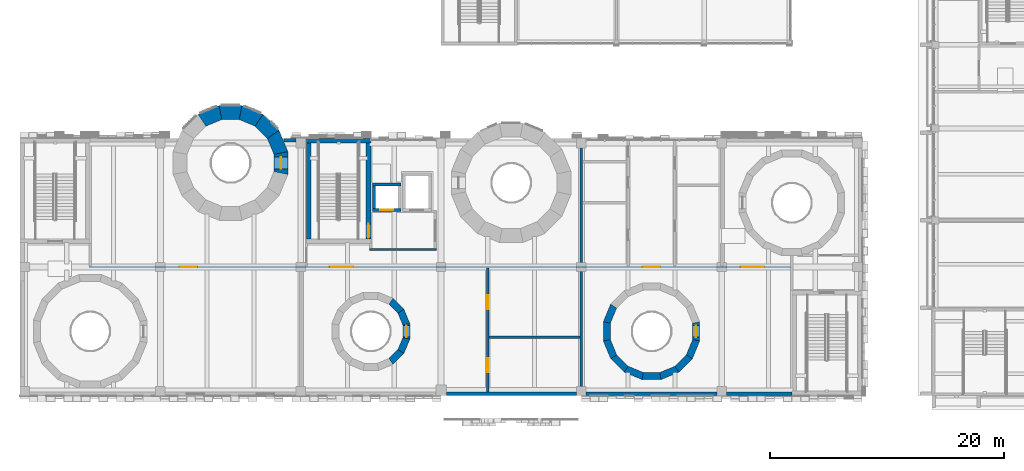
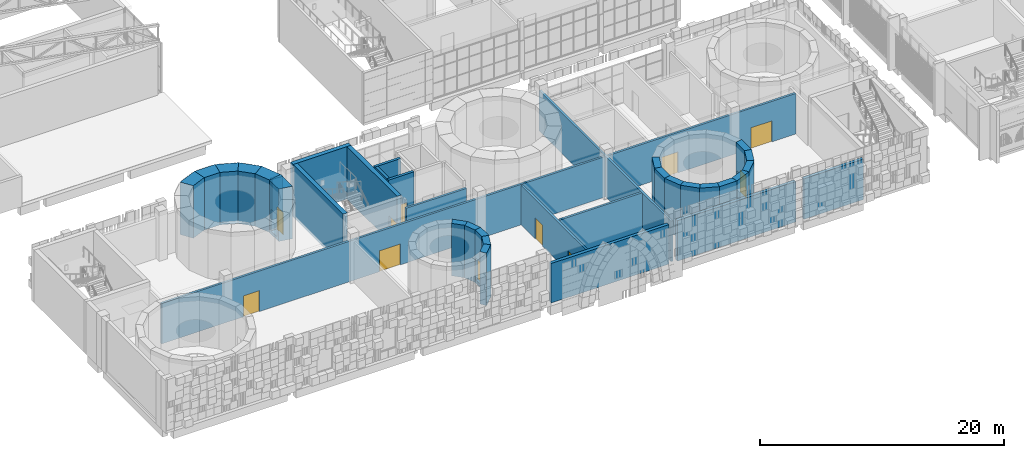
# One storey, part 65 of 125: 36 walls, 11 doors, 11 openings.
"""IFC4 building model written with IfcOpenShell, lengths in metres."""

from ifc_helpers import new_model, si_unit, direction, frame, frame_2d, origin, place, context, subcontext, project, spatial, polyline, rectangle, outline, extrude, material, layer, layer_set, type_object, element, fill, save


model = new_model("IFC4")

# Units and contexts
model_context = context("Model", 3, precision=1e-05, world=origin(), true_north=direction((0.0, 1.0)))
body_context = subcontext(model_context, "Body", "Model", "MODEL_VIEW")
ifc_project = project(units=[si_unit("LENGTHUNIT", "METRE"), si_unit("AREAUNIT", "SQUARE_METRE"), si_unit("VOLUMEUNIT", "CUBIC_METRE"), si_unit("PLANEANGLEUNIT", "RADIAN"), si_unit("MASSUNIT", "GRAM", prefix="KILO")], contexts=[model_context])

# Site, building, storey
site_placement = place(None, origin())
site = spatial("IfcSite", under=ifc_project, at=site_placement, CompositionType="ELEMENT")
building_placement = place(site_placement, origin())
building = spatial("IfcBuilding", under=site, at=building_placement, Name="Sun Court Science Centre", CompositionType="ELEMENT")
storey_placement = place(building_placement, frame((0.0, 0.0, 6.0)))
storey = spatial("IfcBuildingStorey", under=building, at=storey_placement, Name="L01", CompositionType="ELEMENT", Elevation=6.0)

# Walls
ifc_material_1 = material(Name="Clay masonry", Category="masonry")
ifc_layer_1 = layer(ifc_material_1, 0.300048828125)
ifc_layer_set_1 = layer_set([ifc_layer_1], Name="Clay masonry")
wall_type_1 = type_object("IfcWallType", Name="Clay masonry infill wall 300", PredefinedType="SOLIDWALL", material=ifc_layer_set_1)
wall_1_placement = place(storey_placement, frame((66.0, 6.14990234375, 0.0), z_axis=(0.0, 0.0, 1.0), x_axis=(-1.0, 0.0, 0.0)))
element("IfcWall", 1, at=wall_1_placement, inside=storey, type_object=wall_type_1, Name="External infill wall L01 south face 01", PredefinedType="SOLIDWALL", context=body_context, shape_type="SweptSolid", body=[
    extrude(rectangle(XDim=5.60009765625, YDim=0.300048828125, at=frame_2d((2.800048828125, 0.0))), origin(), (0.0, 0.0, 1.0), 4.050048828125),
])
wall_2_placement = place(storey_placement, frame((59.60009765625, 6.14990234375, 0.0), z_axis=(0.0, 0.0, 1.0), x_axis=(-1.0, 0.0, 0.0)))
element("IfcWall", 2, at=wall_2_placement, inside=storey, type_object=wall_type_1, Name="External infill wall L01 south face 02", PredefinedType="SOLIDWALL", context=body_context, shape_type="SweptSolid", body=[
    extrude(rectangle(XDim=11.2001953125, YDim=0.300048828125, at=frame_2d((5.60009765625, 0.0))), origin(), (0.0, 0.0, 1.0), 4.050048828125),
])
wall_3_placement = place(storey_placement, frame((47.60009765625, 6.14990234375, 0.0), z_axis=(0.0, 0.0, 1.0), x_axis=(-1.0, 0.0, 0.0)))
element("IfcWall", 3, at=wall_3_placement, inside=storey, type_object=wall_type_1, Name="External infill wall L01 south face 03", PredefinedType="SOLIDWALL", context=body_context, shape_type="SweptSolid", body=[
    extrude(rectangle(XDim=11.150146484375, YDim=0.300048828125, at=frame_2d((5.5751953125, 0.0))), origin(), (0.0, 0.0, 1.0), 3.949951171875),
])
wall_4_placement = place(storey_placement, frame((22.5625, 27.85009765625, 0.0), z_axis=(0.0, 0.0, 1.0), x_axis=(1.0, 0.0, 0.0)))
element("IfcWall", 4, at=wall_4_placement, inside=storey, type_object=wall_type_1, Name="External infill wall L01 north face 03", PredefinedType="SOLIDWALL", context=body_context, shape_type="SweptSolid", body=[
    extrude(rectangle(XDim=1.03759765625, YDim=0.300048828125, at=frame_2d((0.518798828125, 0.0))), origin(), (0.0, 0.0, 1.0), 4.050048828125),
])
ifc_material_2 = material(Name="Gypsum board")
ifc_layer_2 = layer(ifc_material_2, 0.199951171875)
ifc_layer_set_2 = layer_set([ifc_layer_2], Name="Gypsum board")
wall_type_2 = type_object("IfcWallType", Name="Partition 200 acoustic double stud", PredefinedType="PARTITIONING", material=ifc_layer_set_2)
wall_5_placement = place(storey_placement, frame((40.10009765625, 11.0, 0.0), z_axis=(0.0, 0.0, 1.0), x_axis=(1.0, 0.0, 0.0)))
element("IfcWall", 5, at=wall_5_placement, inside=storey, type_object=wall_type_2, Name="L01 partition 001", PredefinedType="PARTITIONING", context=body_context, shape_type="SweptSolid", body=[
    extrude(rectangle(XDim=7.7998046875, YDim=0.199951171875, at=frame_2d((3.89990234375, 0.0))), origin(), (0.0, 0.0, 1.0), 4.050048828125),
])
wall_6_placement = place(storey_placement, frame((48.0, 6.199951171875, 0.0), z_axis=(0.0, 0.0, 1.0), x_axis=(0.0, 1.0, 0.0)))
element("IfcWall", 6, at=wall_6_placement, inside=storey, type_object=wall_type_2, Name="L01 partition 014", PredefinedType="PARTITIONING", context=body_context, shape_type="SweptSolid", body=[
    extrude(rectangle(XDim=21.60009765625, YDim=0.199951171875, at=frame_2d((10.800048828125, 0.0))), origin(), (0.0, 0.0, 1.0), 4.050048828125),
])

# Wall, openings, doors
wall_7_placement = place(storey_placement, frame((40.0, 16.89990234375, 0.0), z_axis=(0.0, 0.0, 1.0), x_axis=(0.0, -1.0, 0.0)))
wall_7 = element("IfcWall", 7, at=wall_7_placement, inside=storey, type_object=wall_type_2, Name="L01 partition 015", PredefinedType="PARTITIONING", context=body_context, shape_type="SweptSolid", body=[
    extrude(rectangle(XDim=10.597900390625, YDim=0.199951171875, at=frame_2d((5.298828125, 0.0))), origin(), (0.0, 0.0, 1.0), 3.949951171875),
])
opening_1_placement = place(wall_7_placement, frame((7.699951171875, 0.0, 0.0)))
opening_1 = element("IfcOpeningElement", 8, at=opening_1_placement, cuts=wall_7, Name="Opening D-L01-015", PredefinedType="OPENING", context=body_context, shape_type="SweptSolid", body=[
    extrude(rectangle(XDim=1.199951171875, YDim=2.10009765625, at=frame_2d((0.60009765625, 1.050048828125))), frame((0.0, 0.10986328125, 0.0), z_axis=(0.0, -1.0, 0.0), x_axis=(1.0, 0.0, 0.0)), (0.0, 0.0, 1.0), 0.219970703125),
])
opening_2_placement = place(wall_7_placement, frame((2.300048828125, 0.0, 0.0)))
opening_2 = element("IfcOpeningElement", 9, at=opening_2_placement, cuts=wall_7, Name="Opening D-L01-016", PredefinedType="OPENING", context=body_context, shape_type="SweptSolid", body=[
    extrude(rectangle(XDim=1.199951171875, YDim=2.10009765625, at=frame_2d((0.60009765625, 1.050048828125))), frame((0.0, 0.10986328125, 0.0), z_axis=(0.0, -1.0, 0.0), x_axis=(1.0, 0.0, 0.0)), (0.0, 0.0, 1.0), 0.219970703125),
])
ifc_material_3 = material(Name="Timber", Category="wood")
door_type_1 = type_object("IfcDoorType", Name="Door 1200x2100 single leaf", OperationType="NOTDEFINED", PredefinedType="DOOR", material=ifc_material_3)
door_1_placement = place(opening_1_placement, origin())
door_1 = element("IfcDoor", 10, at=door_1_placement, inside=storey, type_object=door_type_1, Name="Door D-L01-015", OperationType="SINGLE_SWING_LEFT", OverallHeight=2.10009765625, OverallWidth=1.199951171875, PredefinedType="DOOR", context=body_context, shape_type="SweptSolid", body=[
    extrude(rectangle(XDim=1.199951171875, YDim=2.10009765625, at=frame_2d((0.60009765625, 1.050048828125))), frame((0.0, 0.02490234375, 0.0), z_axis=(0.0, -1.0, 0.0), x_axis=(1.0, 0.0, 0.0)), (0.0, 0.0, 1.0), 0.050048828125),
])
fill(opening_1, door_1)
door_2_placement = place(opening_2_placement, origin())
door_2 = element("IfcDoor", 11, at=door_2_placement, inside=storey, type_object=door_type_1, Name="Door D-L01-016", OperationType="SINGLE_SWING_RIGHT", OverallHeight=2.10009765625, OverallWidth=1.199951171875, PredefinedType="DOOR", context=body_context, shape_type="SweptSolid", body=[
    extrude(rectangle(XDim=1.199951171875, YDim=2.10009765625, at=frame_2d((0.60009765625, 1.050048828125))), frame((0.0, 0.02490234375, 0.0), z_axis=(0.0, -1.0, 0.0), x_axis=(1.0, 0.0, 0.0)), (0.0, 0.0, 1.0), 0.050048828125),
])
fill(opening_2, door_2)

ifc_material_4 = material(Name="Concrete block", Category="concrete")
ifc_layer_3 = layer(ifc_material_4, 0.199951171875)
ifc_layer_set_3 = layer_set([ifc_layer_3], Name="Concrete block")
wall_type_3 = type_object("IfcWallType", Name="Partition 200 block EI60", PredefinedType="PARTITIONING", material=ifc_layer_set_3)
wall_8_placement = place(storey_placement, frame((65.89990234375, 17.0, 0.0), z_axis=(0.0, 0.0, 1.0), x_axis=(-1.0, 0.0, 0.0)))
wall_8 = element("IfcWall", 12, at=wall_8_placement, inside=storey, type_object=wall_type_3, Name="L01 partition 002", PredefinedType="PARTITIONING", context=body_context, shape_type="SweptSolid", body=[
    extrude(rectangle(XDim=60.0, YDim=0.199951171875, at=frame_2d((30.0, 0.0))), origin(), (0.0, 0.0, 1.0), 4.050048828125),
])
opening_3_placement = place(wall_8_placement, frame((50.75, 0.0, 0.0)))
opening_3 = element("IfcOpeningElement", 13, at=opening_3_placement, cuts=wall_8, Name="Opening D-L01-012", PredefinedType="OPENING", context=body_context, shape_type="SweptSolid", body=[
    extrude(rectangle(XDim=1.5, YDim=2.10009765625, at=frame_2d((0.75, 1.050048828125))), frame((0.0, 0.10986328125, 0.0), z_axis=(0.0, -1.0, 0.0), x_axis=(1.0, 0.0, 0.0)), (0.0, 0.0, 1.0), 0.219970703125),
])
opening_4_placement = place(wall_8_placement, frame((37.40087890625, 0.0, 0.0)))
opening_4 = element("IfcOpeningElement", 14, at=opening_4_placement, cuts=wall_8, Name="Opening D-L01-013", PredefinedType="OPENING", context=body_context, shape_type="SweptSolid", body=[
    extrude(rectangle(XDim=2.0, YDim=2.10009765625, at=frame_2d((1.0, 1.050048828125))), frame((0.0, 0.10986328125, 0.0), z_axis=(0.0, -1.0, 0.0), x_axis=(1.0, 0.0, 0.0)), (0.0, 0.0, 1.0), 0.219970703125),
])
opening_5_placement = place(wall_8_placement, frame((11.14990234375, 0.0, 0.0)))
opening_5 = element("IfcOpeningElement", 15, at=opening_5_placement, cuts=wall_8, Name="Opening D-L01-017", PredefinedType="OPENING", context=body_context, shape_type="SweptSolid", body=[
    extrude(rectangle(XDim=1.5, YDim=2.10009765625, at=frame_2d((0.75, 1.050048828125))), frame((0.0, 0.10986328125, 0.0), z_axis=(0.0, -1.0, 0.0), x_axis=(1.0, 0.0, 0.0)), (0.0, 0.0, 1.0), 0.219970703125),
])
opening_6_placement = place(wall_8_placement, frame((2.2509765625, 0.0, 0.0)))
opening_6 = element("IfcOpeningElement", 16, at=opening_6_placement, cuts=wall_8, Name="Opening D-L01-018", PredefinedType="OPENING", context=body_context, shape_type="SweptSolid", body=[
    extrude(rectangle(XDim=2.0, YDim=2.10009765625, at=frame_2d((1.0, 1.050048828125))), frame((0.0, 0.10986328125, 0.0), z_axis=(0.0, -1.0, 0.0), x_axis=(1.0, 0.0, 0.0)), (0.0, 0.0, 1.0), 0.219970703125),
])
ifc_material_5 = material(Name="Timber", Category="wood")
door_type_2 = type_object("IfcDoorType", Name="Door 1500x2100 double leaf", OperationType="DOUBLE_DOOR_SINGLE_SWING", PredefinedType="DOOR", material=ifc_material_5)
door_3_placement = place(opening_3_placement, origin())
door_3 = element("IfcDoor", 17, at=door_3_placement, inside=storey, type_object=door_type_2, Name="Door D-L01-012", OperationType="DOUBLE_DOOR_SINGLE_SWING", OverallHeight=2.10009765625, OverallWidth=1.5, PredefinedType="DOOR", context=body_context, shape_type="SweptSolid", body=[
    extrude(rectangle(XDim=1.5, YDim=2.10009765625, at=frame_2d((0.75, 1.050048828125))), frame((0.0, 0.02490234375, 0.0), z_axis=(0.0, -1.0, 0.0), x_axis=(1.0, 0.0, 0.0)), (0.0, 0.0, 1.0), 0.050048828125),
])
fill(opening_3, door_3)
door_4_placement = place(opening_5_placement, origin())
door_4 = element("IfcDoor", 18, at=door_4_placement, inside=storey, type_object=door_type_2, Name="Door D-L01-017", OperationType="DOUBLE_DOOR_SINGLE_SWING", OverallHeight=2.10009765625, OverallWidth=1.5, PredefinedType="DOOR", context=body_context, shape_type="SweptSolid", body=[
    extrude(rectangle(XDim=1.5, YDim=2.10009765625, at=frame_2d((0.75, 1.050048828125))), frame((0.0, 0.02490234375, 0.0), z_axis=(0.0, -1.0, 0.0), x_axis=(1.0, 0.0, 0.0)), (0.0, 0.0, 1.0), 0.050048828125),
])
fill(opening_5, door_4)
ifc_material_6 = material(Name="Timber", Category="wood")
door_type_3 = type_object("IfcDoorType", Name="Door 2000x2100 double leaf", OperationType="DOUBLE_DOOR_SINGLE_SWING", PredefinedType="DOOR", material=ifc_material_6)
door_5_placement = place(opening_4_placement, origin())
door_5 = element("IfcDoor", 19, at=door_5_placement, inside=storey, type_object=door_type_3, Name="Door D-L01-013", OperationType="DOUBLE_DOOR_SINGLE_SWING", OverallHeight=2.10009765625, OverallWidth=2.0, PredefinedType="DOOR", context=body_context, shape_type="SweptSolid", body=[
    extrude(rectangle(XDim=2.0, YDim=2.10009765625, at=frame_2d((1.0, 1.050048828125))), frame((0.0, 0.02490234375, 0.0), z_axis=(0.0, -1.0, 0.0), x_axis=(1.0, 0.0, 0.0)), (0.0, 0.0, 1.0), 0.050048828125),
])
fill(opening_4, door_5)
door_6_placement = place(opening_6_placement, origin())
door_6 = element("IfcDoor", 20, at=door_6_placement, inside=storey, type_object=door_type_3, Name="Door D-L01-018", OperationType="DOUBLE_DOOR_SINGLE_SWING", OverallHeight=2.10009765625, OverallWidth=2.0, PredefinedType="DOOR", context=body_context, shape_type="SweptSolid", body=[
    extrude(rectangle(XDim=2.0, YDim=2.10009765625, at=frame_2d((1.0, 1.050048828125))), frame((0.0, 0.02490234375, 0.0), z_axis=(0.0, -1.0, 0.0), x_axis=(1.0, 0.0, 0.0)), (0.0, 0.0, 1.0), 0.050048828125),
])
fill(opening_6, door_6)

# Walls
wall_9_placement = place(storey_placement, frame((29.89990234375, 18.5, 0.0), z_axis=(0.0, 0.0, 1.0), x_axis=(1.0, 0.0, 0.0)))
element("IfcWall", 21, at=wall_9_placement, inside=storey, type_object=wall_type_3, Name="L01 partition 004", PredefinedType="PARTITIONING", context=body_context, shape_type="SweptSolid", body=[
    extrude(rectangle(XDim=5.7001953125, YDim=0.199951171875, at=frame_2d((2.85009765625, 0.0))), origin(), (0.0, 0.0, 1.0), 4.25),
])
ifc_material_7 = material(Name="Concrete C30/37", Category="concrete")
ifc_layer_4 = layer(ifc_material_7, 1.18798828125)
ifc_layer_set_4 = layer_set([ifc_layer_4], Name="Concrete C30/37")
wall_type_4 = type_object("IfcWallType", Name="RC cone ring wall 1188", PredefinedType="SHEAR", material=ifc_layer_set_4)
wall_10_placement = place(storey_placement, frame((22.35498046875, 26.64794921875, -0.300048828125), z_axis=(0.0, 0.0, 1.0), x_axis=(-0.382668614316, 0.923885670209, 0.0)))
element("IfcWall", 22, at=wall_10_placement, inside=storey, type_object=wall_type_4, Name="Cone 2 ring wall L01 segment 1", PredefinedType="SHEAR", context=body_context, shape_type="SweptSolid", body=[
    extrude(outline(polyline([(0.000244140625, -0.59423828125), (1.951171875, -0.59423828125), (1.714599609375, 0.59423828125), (0.236328125, 0.59423828125), (0.000244140625, -0.59423828125)])), origin(), (0.0, 0.0, 1.0), 5.25),
])
wall_11_placement = place(storey_placement, frame((21.737060546875, 28.257568359375, -0.300048828125), z_axis=(0.0, 0.0, 1.0), x_axis=(-0.707044208134, 0.707169348702, 0.0)))
element("IfcWall", 23, at=wall_11_placement, inside=storey, type_object=wall_type_4, Name="Cone 2 ring wall L01 segment 2", PredefinedType="SHEAR", context=body_context, shape_type="SweptSolid", body=[
    extrude(outline(polyline([(0.000244140625, -0.594482421875), (1.950927734375, -0.59423828125), (1.714599609375, 0.59423828125), (0.236328125, 0.593994140625), (0.000244140625, -0.594482421875)])), origin(), (0.0, 0.0, 1.0), 5.25),
])
wall_12_placement = place(storey_placement, frame((20.550537109375, 29.50830078125, -0.300048828125), z_axis=(0.0, 0.0, 1.0), x_axis=(-0.923885670209, 0.382668614316, 0.0)))
element("IfcWall", 24, at=wall_12_placement, inside=storey, type_object=wall_type_4, Name="Cone 2 ring wall L01 segment 3", PredefinedType="SHEAR", context=body_context, shape_type="SweptSolid", body=[
    extrude(outline(polyline([(0.0, -0.59423828125), (1.950927734375, -0.59423828125), (1.714599609375, 0.59423828125), (0.236572265625, 0.59423828125), (0.0, -0.59423828125)])), origin(), (0.0, 0.0, 1.0), 5.25),
])
wall_13_placement = place(storey_placement, frame((18.975341796875, 30.209716796875, -0.300048828125), z_axis=(0.0, 0.0, 1.0), x_axis=(-1.0, 0.0, 0.0)))
element("IfcWall", 25, at=wall_13_placement, inside=storey, type_object=wall_type_4, Name="Cone 2 ring wall L01 segment 4", PredefinedType="SHEAR", context=body_context, shape_type="SweptSolid", body=[
    extrude(outline(polyline([(-0.000244140625, -0.59423828125), (1.950927734375, -0.59423828125), (1.71435546875, 0.59423828125), (0.236328125, 0.59423828125), (-0.000244140625, -0.59423828125)])), origin(), (0.0, 0.0, 1.0), 5.25),
])
wall_14_placement = place(storey_placement, frame((17.251953125, 30.2548828125, -0.300048828125), z_axis=(0.0, 0.0, 1.0), x_axis=(-0.923885670209, -0.382668614316, 0.0)))
element("IfcWall", 26, at=wall_14_placement, inside=storey, type_object=wall_type_4, Name="Cone 2 ring wall L01 segment 5", PredefinedType="SHEAR", context=body_context, shape_type="SweptSolid", body=[
    extrude(outline(polyline([(0.0, -0.59423828125), (1.950927734375, -0.59423828125), (1.71435546875, 0.59423828125), (0.236328125, 0.59423828125), (0.0, -0.59423828125)])), origin(), (0.0, 0.0, 1.0), 5.25),
])

# Wall, opening, door
wall_15_placement = place(storey_placement, frame((22.3095703125, 24.924560546875, -0.300048828125), z_axis=(0.0, 0.0, 1.0), x_axis=(0.0, 1.0, 0.0)))
wall_15 = element("IfcWall", 27, at=wall_15_placement, inside=storey, type_object=wall_type_4, Name="Cone 2 ring wall L01 segment 16", PredefinedType="SHEAR", context=body_context, shape_type="SweptSolid", body=[
    extrude(outline(polyline([(0.0, -0.59423828125), (1.950927734375, -0.59423828125), (1.71435546875, 0.593994140625), (0.236328125, 0.593994140625), (0.0, -0.59423828125)])), origin(), (0.0, 0.0, 1.0), 5.25),
])
opening_7_placement = place(wall_15_placement, frame((0.475341796875, 0.0, 0.300048828125)))
opening_7 = element("IfcOpeningElement", 28, at=opening_7_placement, cuts=wall_15, Name="Opening D-L01-021", PredefinedType="OPENING", context=body_context, shape_type="SweptSolid", body=[
    extrude(rectangle(XDim=1.0, YDim=2.199951171875, at=frame_2d((0.5, 1.10009765625))), frame((0.0, 0.604248046875, 0.0), z_axis=(0.0, -1.0, 0.0), x_axis=(1.0, 0.0, 0.0)), (0.0, 0.0, 1.0), 1.20849609375),
])
ifc_material_8 = material(Name="Timber", Category="wood")
door_type_4 = type_object("IfcDoorType", Name="Door 1000x2200 single leaf", OperationType="NOTDEFINED", PredefinedType="DOOR", material=ifc_material_8)
door_7_placement = place(opening_7_placement, origin())
door_7 = element("IfcDoor", 29, at=door_7_placement, inside=storey, type_object=door_type_4, Name="Door D-L01-021", OperationType="SINGLE_SWING_RIGHT", OverallHeight=2.199951171875, OverallWidth=1.0, PredefinedType="DOOR", context=body_context, shape_type="SweptSolid", body=[
    extrude(rectangle(XDim=1.0, YDim=2.199951171875, at=frame_2d((0.5, 1.10009765625))), frame((0.0, 0.02490234375, 0.0), z_axis=(0.0, -1.0, 0.0), x_axis=(1.0, 0.0, 0.0)), (0.0, 0.0, 1.0), 0.050048828125),
])
fill(opening_7, door_7)

# Walls
ifc_material_9 = material(Name="Concrete C30/37", Category="concrete")
ifc_layer_5 = layer(ifc_material_9, 0.60009765625)
ifc_layer_set_5 = layer_set([ifc_layer_5], Name="Concrete C30/37")
wall_type_5 = type_object("IfcWallType", Name="RC cone ring wall 600", PredefinedType="SHEAR", material=ifc_layer_set_5)
wall_16_placement = place(storey_placement, frame((33.0576171875, 12.048583984375, -0.300048828125), z_axis=(0.0, 0.0, 1.0), x_axis=(-0.382785205205, 0.923837370253, 0.0)))
element("IfcWall", 30, at=wall_16_placement, inside=storey, type_object=wall_type_5, Name="Cone 3 ring wall L01 segment 1", PredefinedType="SHEAR", context=body_context, shape_type="SweptSolid", body=[
    extrude(outline(polyline([(0.0, -0.2998046875), (1.32666015625, -0.2998046875), (1.207275390625, 0.300048828125), (0.119384765625, 0.30029296875), (0.0, -0.2998046875)])), origin(), (0.0, 0.0, 1.0), 5.25),
])
for number, where, z_axis, x_axis, name in (
    (31, (32.61474609375, 13.1767578125, -0.300048828125), (0.0, 0.0, 1.0), (-0.707106781187, 0.707106781187, 0.0), "Cone 3 ring wall L01 segment 2"),
    (32, (31.6767578125, 8.88525390625, -0.300048828125), (0.0, 0.0, 1.0), (0.707106781187, 0.707106781187, 0.0), "Cone 3 ring wall L01 segment 14"),
):
    element("IfcWall", number, at=place(storey_placement, frame(where, z_axis=z_axis, x_axis=x_axis)), inside=storey, type_object=wall_type_5, Name=name, PredefinedType="SHEAR", context=body_context, shape_type="SweptSolid", body=[
        extrude(outline(polyline([(0.0, -0.300048828125), (1.326416015625, -0.300048828125), (1.207275390625, 0.2998046875), (0.119384765625, 0.2998046875), (0.0, -0.300048828125)])), origin(), (0.0, 0.0, 1.0), 5.25),
    ])
wall_17_placement = place(storey_placement, frame((32.5498046875, 9.725830078125, -0.300048828125), z_axis=(0.0, 0.0, 1.0), x_axis=(0.382785205205, 0.923837370253, 0.0)))
element("IfcWall", 33, at=wall_17_placement, inside=storey, type_object=wall_type_5, Name="Cone 3 ring wall L01 segment 15", PredefinedType="SHEAR", context=body_context, shape_type="SweptSolid", body=[
    extrude(outline(polyline([(0.0, -0.2998046875), (1.32666015625, -0.2998046875), (1.207275390625, 0.30029296875), (0.119384765625, 0.300048828125), (0.0, -0.2998046875)])), origin(), (0.0, 0.0, 1.0), 5.25),
])

# Wall, opening, door
wall_18_placement = place(storey_placement, frame((33.03466796875, 10.836669921875, -0.300048828125), z_axis=(0.0, 0.0, 1.0), x_axis=(0.0, 1.0, 0.0)))
wall_18 = element("IfcWall", 34, at=wall_18_placement, inside=storey, type_object=wall_type_5, Name="Cone 3 ring wall L01 segment 16", PredefinedType="SHEAR", context=body_context, shape_type="SweptSolid", body=[
    extrude(outline(polyline([(0.0, -0.300048828125), (1.32666015625, -0.300048828125), (1.207275390625, 0.300048828125), (0.119384765625, 0.300048828125), (0.0, -0.300048828125)])), origin(), (0.0, 0.0, 1.0), 5.25),
])
opening_8_placement = place(wall_18_placement, frame((0.163330078125, 0.0, 0.300048828125)))
opening_8 = element("IfcOpeningElement", 35, at=opening_8_placement, cuts=wall_18, Name="Opening D-L01-022", PredefinedType="OPENING", context=body_context, shape_type="SweptSolid", body=[
    extrude(rectangle(XDim=1.0, YDim=2.199951171875, at=frame_2d((0.5, 1.10009765625))), frame((0.0, 0.31005859375, 0.0), z_axis=(0.0, -1.0, 0.0), x_axis=(1.0, 0.0, 0.0)), (0.0, 0.0, 1.0), 0.6201171875),
])
door_8_placement = place(opening_8_placement, origin())
door_8 = element("IfcDoor", 36, at=door_8_placement, inside=storey, type_object=door_type_4, Name="Door D-L01-022", OperationType="SINGLE_SWING_LEFT", OverallHeight=2.199951171875, OverallWidth=1.0, PredefinedType="DOOR", context=body_context, shape_type="SweptSolid", body=[
    extrude(rectangle(XDim=1.0, YDim=2.199951171875, at=frame_2d((0.5, 1.10009765625))), frame((0.0, 0.02490234375, 0.0), z_axis=(0.0, -1.0, 0.0), x_axis=(1.0, 0.0, 0.0)), (0.0, 0.0, 1.0), 0.050048828125),
])
fill(opening_8, door_8)

# Walls
wall_19_placement = place(storey_placement, frame((50.784912109375, 13.718505859375, -0.300048828125), z_axis=(0.0, 0.0, 1.0), x_axis=(-0.382614973625, -0.923907886078, 0.0)))
element("IfcWall", 37, at=wall_19_placement, inside=storey, type_object=wall_type_5, Name="Cone 5 ring wall L01 segment 7", PredefinedType="SHEAR", context=body_context, shape_type="SweptSolid", body=[
    extrude(outline(polyline([(-0.000244140625, -0.300048828125), (1.638671875, -0.300048828125), (1.519287109375, 0.300048828125), (0.119384765625, 0.30029296875), (-0.000244140625, -0.300048828125)])), origin(), (0.0, 0.0, 1.0), 5.25),
])
wall_20_placement = place(storey_placement, frame((50.1806640625, 12.3193359375, -0.300048828125), z_axis=(0.0, 0.0, 1.0), x_axis=(0.0, -1.0, 0.0)))
element("IfcWall", 38, at=wall_20_placement, inside=storey, type_object=wall_type_5, Name="Cone 5 ring wall L01 segment 8", PredefinedType="SHEAR", context=body_context, shape_type="SweptSolid", body=[
    extrude(outline(polyline([(0.0, -0.300048828125), (1.638671875, -0.300048828125), (1.519287109375, 0.300048828125), (0.119384765625, 0.300048828125), (0.0, -0.300048828125)])), origin(), (0.0, 0.0, 1.0), 5.25),
])
wall_21_placement = place(storey_placement, frame((50.157958984375, 10.79541015625, -0.300048828125), z_axis=(0.0, 0.0, 1.0), x_axis=(0.382614973625, -0.923907886078, 0.0)))
element("IfcWall", 39, at=wall_21_placement, inside=storey, type_object=wall_type_5, Name="Cone 5 ring wall L01 segment 9", PredefinedType="SHEAR", context=body_context, shape_type="SweptSolid", body=[
    extrude(outline(polyline([(0.0, -0.300048828125), (1.638916015625, -0.300048828125), (1.519287109375, 0.30029296875), (0.119140625, 0.300048828125), (0.0, -0.300048828125)])), origin(), (0.0, 0.0, 1.0), 5.25),
])
wall_22_placement = place(storey_placement, frame((50.719970703125, 9.378662109375, -0.300048828125), z_axis=(0.0, 0.0, 1.0), x_axis=(0.707106781187, -0.707106781187, 0.0)))
element("IfcWall", 40, at=wall_22_placement, inside=storey, type_object=wall_type_5, Name="Cone 5 ring wall L01 segment 10", PredefinedType="SHEAR", context=body_context, shape_type="SweptSolid", body=[
    extrude(outline(polyline([(0.0, -0.300048828125), (1.638671875, -0.300048828125), (1.519287109375, 0.30029296875), (0.119384765625, 0.30029296875), (0.0, -0.300048828125)])), origin(), (0.0, 0.0, 1.0), 5.25),
])
wall_23_placement = place(storey_placement, frame((51.781494140625, 8.284912109375, -0.300048828125), z_axis=(0.0, 0.0, 1.0), x_axis=(0.923907886078, -0.382614973625, 0.0)))
element("IfcWall", 41, at=wall_23_placement, inside=storey, type_object=wall_type_5, Name="Cone 5 ring wall L01 segment 11", PredefinedType="SHEAR", context=body_context, shape_type="SweptSolid", body=[
    extrude(outline(polyline([(-0.000244140625, -0.300048828125), (1.638671875, -0.300048828125), (1.519287109375, 0.300048828125), (0.119384765625, 0.30029296875), (-0.000244140625, -0.300048828125)])), origin(), (0.0, 0.0, 1.0), 5.25),
])
wall_24_placement = place(storey_placement, frame((53.1806640625, 7.6806640625, -0.300048828125), z_axis=(0.0, 0.0, 1.0), x_axis=(1.0, 0.0, 0.0)))
element("IfcWall", 42, at=wall_24_placement, inside=storey, type_object=wall_type_5, Name="Cone 5 ring wall L01 segment 12", PredefinedType="SHEAR", context=body_context, shape_type="SweptSolid", body=[
    extrude(outline(polyline([(0.0, -0.300048828125), (1.638671875, -0.300048828125), (1.519287109375, 0.300048828125), (0.119384765625, 0.300048828125), (0.0, -0.300048828125)])), origin(), (0.0, 0.0, 1.0), 5.25),
])
wall_25_placement = place(storey_placement, frame((54.70458984375, 7.657958984375, -0.300048828125), z_axis=(0.0, 0.0, 1.0), x_axis=(0.923907886078, 0.382614973625, 0.0)))
element("IfcWall", 43, at=wall_25_placement, inside=storey, type_object=wall_type_5, Name="Cone 5 ring wall L01 segment 13", PredefinedType="SHEAR", context=body_context, shape_type="SweptSolid", body=[
    extrude(outline(polyline([(0.0, -0.300048828125), (1.638916015625, -0.300048828125), (1.519287109375, 0.30029296875), (0.119140625, 0.300048828125), (0.0, -0.300048828125)])), origin(), (0.0, 0.0, 1.0), 5.25),
])
wall_26_placement = place(storey_placement, frame((56.121337890625, 8.219970703125, -0.300048828125), z_axis=(0.0, 0.0, 1.0), x_axis=(0.707106781187, 0.707106781187, 0.0)))
element("IfcWall", 44, at=wall_26_placement, inside=storey, type_object=wall_type_5, Name="Cone 5 ring wall L01 segment 14", PredefinedType="SHEAR", context=body_context, shape_type="SweptSolid", body=[
    extrude(outline(polyline([(0.0, -0.300048828125), (1.638671875, -0.300048828125), (1.519287109375, 0.30029296875), (0.119384765625, 0.30029296875), (0.0, -0.300048828125)])), origin(), (0.0, 0.0, 1.0), 5.25),
])
wall_27_placement = place(storey_placement, frame((57.215087890625, 9.281494140625, -0.300048828125), z_axis=(0.0, 0.0, 1.0), x_axis=(0.382614973625, 0.923907886078, 0.0)))
element("IfcWall", 45, at=wall_27_placement, inside=storey, type_object=wall_type_5, Name="Cone 5 ring wall L01 segment 15", PredefinedType="SHEAR", context=body_context, shape_type="SweptSolid", body=[
    extrude(outline(polyline([(-0.000244140625, -0.300048828125), (1.638671875, -0.300048828125), (1.519287109375, 0.300048828125), (0.119384765625, 0.30029296875), (-0.000244140625, -0.300048828125)])), origin(), (0.0, 0.0, 1.0), 5.25),
])

# Wall, opening, door
wall_28_placement = place(storey_placement, frame((57.8193359375, 10.6806640625, -0.300048828125), z_axis=(0.0, 0.0, 1.0), x_axis=(0.0, 1.0, 0.0)))
wall_28 = element("IfcWall", 46, at=wall_28_placement, inside=storey, type_object=wall_type_5, Name="Cone 5 ring wall L01 segment 16", PredefinedType="SHEAR", context=body_context, shape_type="SweptSolid", body=[
    extrude(outline(polyline([(0.0, -0.300048828125), (1.638671875, -0.300048828125), (1.519287109375, 0.300048828125), (0.119384765625, 0.300048828125), (0.0, -0.300048828125)])), origin(), (0.0, 0.0, 1.0), 5.25),
])
opening_9_placement = place(wall_28_placement, frame((0.3193359375, 0.0, 0.300048828125)))
opening_9 = element("IfcOpeningElement", 47, at=opening_9_placement, cuts=wall_28, Name="Opening D-L01-024", PredefinedType="OPENING", context=body_context, shape_type="SweptSolid", body=[
    extrude(rectangle(XDim=1.0, YDim=2.199951171875, at=frame_2d((0.5, 1.10009765625))), frame((0.0, 0.31005859375, 0.0), z_axis=(0.0, -1.0, 0.0), x_axis=(1.0, 0.0, 0.0)), (0.0, 0.0, 1.0), 0.6201171875),
])
door_9_placement = place(opening_9_placement, origin())
door_9 = element("IfcDoor", 48, at=door_9_placement, inside=storey, type_object=door_type_4, Name="Door D-L01-024", OperationType="SINGLE_SWING_LEFT", OverallHeight=2.199951171875, OverallWidth=1.0, PredefinedType="DOOR", context=body_context, shape_type="SweptSolid", body=[
    extrude(rectangle(XDim=1.0, YDim=2.199951171875, at=frame_2d((0.5, 1.10009765625))), frame((0.0, 0.02490234375, 0.0), z_axis=(0.0, -1.0, 0.0), x_axis=(1.0, 0.0, 0.0)), (0.0, 0.0, 1.0), 0.050048828125),
])
fill(opening_9, door_9)

ifc_material_10 = material(Name="Concrete C30/37", Category="concrete")
ifc_layer_6 = layer(ifc_material_10, 0.25)
ifc_layer_set_6 = layer_set([ifc_layer_6], Name="Concrete C30/37")
wall_type_6 = type_object("IfcWallType", Name="RC shaft wall 250", PredefinedType="SHEAR", material=ifc_layer_set_6)
wall_29_placement = place(storey_placement, frame((30.1474609375, 21.87255859375, -0.300048828125), z_axis=(0.0, 0.0, 1.0), x_axis=(1.0, 0.0, 0.0)))
wall_29 = element("IfcWall", 49, at=wall_29_placement, inside=storey, type_object=wall_type_6, Name="Lift core LB1 wall S, L01", PredefinedType="SHEAR", context=body_context, shape_type="SweptSolid", body=[
    extrude(rectangle(XDim=2.425048828125, YDim=0.25, at=frame_2d((1.21240234375, 0.0))), origin(), (0.0, 0.0, 1.0), 5.25),
])
opening_10_placement = place(wall_29_placement, frame((0.66259765625, 0.0, 0.300048828125)))
opening_10 = element("IfcOpeningElement", 50, at=opening_10_placement, cuts=wall_29, Name="Opening D-L01-009", PredefinedType="OPENING", context=body_context, shape_type="SweptSolid", body=[
    extrude(rectangle(XDim=1.10009765625, YDim=2.10009765625, at=frame_2d((0.550048828125, 1.050048828125))), frame((0.0, 0.135009765625, 0.0), z_axis=(0.0, -1.0, 0.0), x_axis=(1.0, 0.0, 0.0)), (0.0, 0.0, 1.0), 0.27001953125),
])
ifc_material_11 = material(Name="Steel", Category="steel")
door_type_5 = type_object("IfcDoorType", Name="Lift landing door 1100x2100 sliding", OperationType="DOUBLE_DOOR_SLIDING", PredefinedType="DOOR", material=ifc_material_11)
door_10_placement = place(opening_10_placement, origin())
door_10 = element("IfcDoor", 51, at=door_10_placement, inside=storey, type_object=door_type_5, Name="Lift landing door D-L01-009", OperationType="DOUBLE_DOOR_SLIDING", OverallHeight=2.10009765625, OverallWidth=1.10009765625, PredefinedType="DOOR", context=body_context, shape_type="SweptSolid", body=[
    extrude(rectangle(XDim=1.10009765625, YDim=2.10009765625, at=frame_2d((0.550048828125, 1.050048828125))), frame((0.0, 0.02490234375, 0.0), z_axis=(0.0, -1.0, 0.0), x_axis=(1.0, 0.0, 0.0)), (0.0, 0.0, 1.0), 0.050048828125),
])
fill(opening_10, door_10)

# Walls
wall_30_placement = place(storey_placement, frame((30.1474609375, 24.047607421875, -0.300048828125), z_axis=(0.0, 0.0, 1.0), x_axis=(1.0, 0.0, 0.0)))
element("IfcWall", 52, at=wall_30_placement, inside=storey, type_object=wall_type_6, Name="Lift core LB1 wall N, L01", PredefinedType="SHEAR", context=body_context, shape_type="SweptSolid", body=[
    extrude(rectangle(XDim=2.425048828125, YDim=0.25, at=frame_2d((1.21240234375, 0.0))), origin(), (0.0, 0.0, 1.0), 5.25),
])
wall_31_placement = place(storey_placement, frame((30.2724609375, 21.99755859375, -0.300048828125), z_axis=(0.0, 0.0, 1.0), x_axis=(0.0, 1.0, 0.0)))
element("IfcWall", 53, at=wall_31_placement, inside=storey, type_object=wall_type_6, Name="Lift core LB1 wall W, L01", PredefinedType="SHEAR", context=body_context, shape_type="SweptSolid", body=[
    extrude(rectangle(XDim=1.925048828125, YDim=0.25, at=frame_2d((0.96240234375, 0.0))), origin(), (0.0, 0.0, 1.0), 5.25),
])

# Wall, opening, door
ifc_material_12 = material(Name="Concrete C30/37", Category="concrete")
ifc_layer_7 = layer(ifc_material_12, 0.39990234375)
ifc_layer_set_7 = layer_set([ifc_layer_7], Name="Concrete C30/37")
wall_type_7 = type_object("IfcWallType", Name="RC stair core wall 400", PredefinedType="SHEAR", material=ifc_layer_set_7)
wall_32_placement = place(storey_placement, frame((29.800048828125, 19.39990234375, -0.300048828125), z_axis=(0.0, 0.0, 1.0), x_axis=(0.0, 1.0, 0.0)))
wall_32 = element("IfcWall", 54, at=wall_32_placement, inside=storey, type_object=wall_type_7, Name="Stair core SB2 wall E, L01", PredefinedType="SHEAR", context=body_context, shape_type="SweptSolid", body=[
    extrude(rectangle(XDim=8.2001953125, YDim=0.39990234375, at=frame_2d((4.10009765625, 0.0))), origin(), (0.0, 0.0, 1.0), 5.25),
])
opening_11_placement = place(wall_32_placement, frame((0.10009765625, 0.0, 0.300048828125)))
opening_11 = element("IfcOpeningElement", 55, at=opening_11_placement, cuts=wall_32, Name="Opening D-L01-007", PredefinedType="OPENING", context=body_context, shape_type="SweptSolid", body=[
    extrude(rectangle(XDim=1.199951171875, YDim=2.199951171875, at=frame_2d((0.60009765625, 1.10009765625))), frame((0.0, 0.2099609375, 0.0), z_axis=(0.0, -1.0, 0.0), x_axis=(1.0, 0.0, 0.0)), (0.0, 0.0, 1.0), 0.419921875),
])
ifc_material_13 = material(Name="Steel", Category="steel")
door_type_6 = type_object("IfcDoorType", Name="Door 1200x2200 single leaf FD60", OperationType="NOTDEFINED", PredefinedType="DOOR", material=ifc_material_13)
door_11_placement = place(opening_11_placement, origin())
door_11 = element("IfcDoor", 56, at=door_11_placement, inside=storey, type_object=door_type_6, Name="Door D-L01-007", OperationType="SINGLE_SWING_RIGHT", OverallHeight=2.199951171875, OverallWidth=1.199951171875, PredefinedType="DOOR", context=body_context, shape_type="SweptSolid", body=[
    extrude(rectangle(XDim=1.199951171875, YDim=2.199951171875, at=frame_2d((0.60009765625, 1.10009765625))), frame((0.0, 0.02490234375, 0.0), z_axis=(0.0, -1.0, 0.0), x_axis=(1.0, 0.0, 0.0)), (0.0, 0.0, 1.0), 0.050048828125),
])
fill(opening_11, door_11)

# Walls
wall_33_placement = place(storey_placement, frame((24.5, 27.800048828125, -0.300048828125), z_axis=(0.0, 0.0, 1.0), x_axis=(1.0, 0.0, 0.0)))
element("IfcWall", 57, at=wall_33_placement, inside=storey, type_object=wall_type_7, Name="Stair core SB2 wall N, L01", PredefinedType="SHEAR", context=body_context, shape_type="SweptSolid", body=[
    extrude(rectangle(XDim=5.5, YDim=0.39990234375, at=frame_2d((2.75, 0.0))), origin(), (0.0, 0.0, 1.0), 5.25),
])
wall_34_placement = place(storey_placement, frame((24.699951171875, 19.39990234375, -0.300048828125), z_axis=(0.0, 0.0, 1.0), x_axis=(0.0, 1.0, 0.0)))
element("IfcWall", 58, at=wall_34_placement, inside=storey, type_object=wall_type_7, Name="Stair core SB2 wall W, L01", PredefinedType="SHEAR", context=body_context, shape_type="SweptSolid", body=[
    extrude(rectangle(XDim=8.2001953125, YDim=0.39990234375, at=frame_2d((4.10009765625, 0.0))), origin(), (0.0, 0.0, 1.0), 5.25),
])

save(model, "model.ifc")
